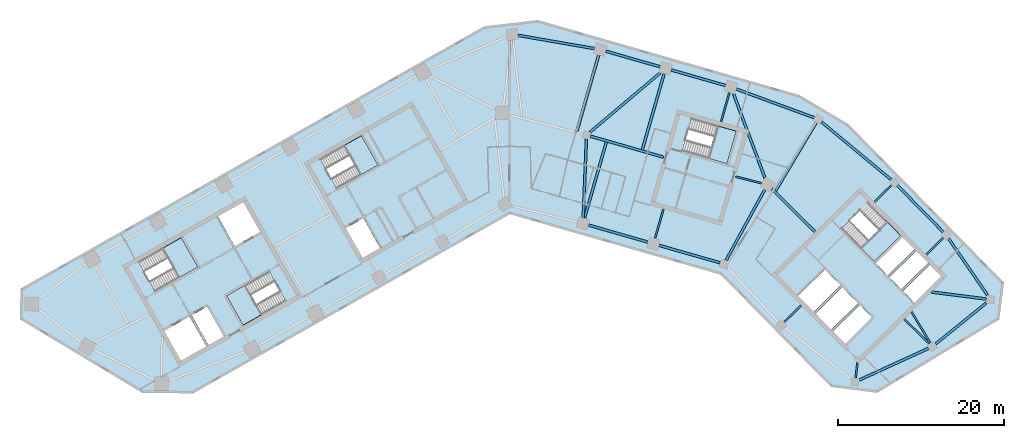
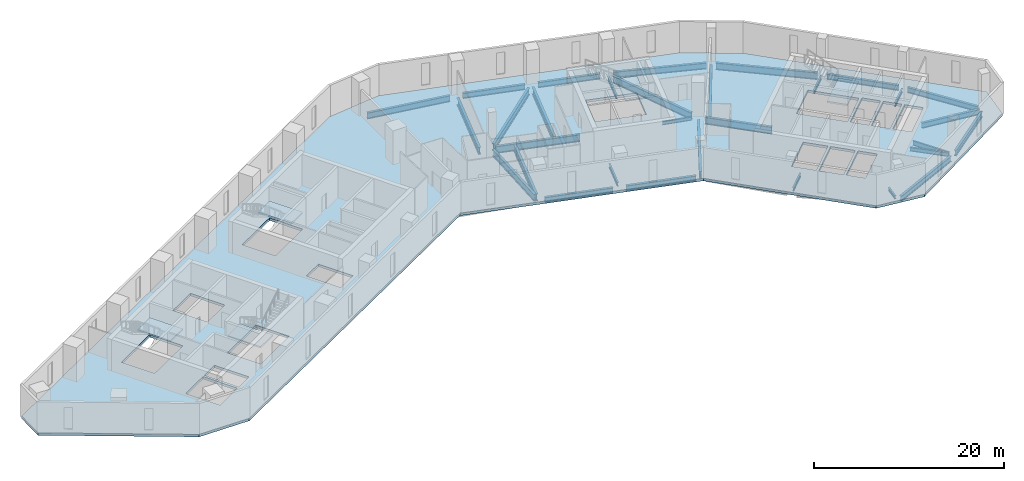
# One storey, part 2 of 10: 31 beams, 6 slabs, 5 elements without a shape of their own.
"""IFC4 building model written with IfcOpenShell, lengths in metres."""

from ifc_helpers import new_model, si_unit, direction, frame, origin, origin_2d, place, context, subcontext, project, spatial, polyline, i_section, outline, extrude, material, layer, layer_set, material_profile, profile_set, type_object, element, aggregate, save


model = new_model("IFC4")

# Units and contexts
model_context = context("Model", 3, precision=1e-05, world=origin(), true_north=direction((0.0, 1.0)))
body_context = subcontext(model_context, "Body", "Model", "MODEL_VIEW")
ifc_project = project(units=[si_unit("LENGTHUNIT", "METRE"), si_unit("AREAUNIT", "SQUARE_METRE"), si_unit("VOLUMEUNIT", "CUBIC_METRE"), si_unit("PLANEANGLEUNIT", "RADIAN"), si_unit("MASSUNIT", "GRAM", prefix="KILO")], contexts=[model_context])

# Site, building, storey
site_placement = place(None, origin())
site = spatial("IfcSite", under=ifc_project, at=site_placement, CompositionType="ELEMENT")
building_placement = place(site_placement, origin())
building = spatial("IfcBuilding", under=site, at=building_placement, Name="Binnacle Exchange Tower", CompositionType="ELEMENT")
storey_placement = place(building_placement, frame((0.0, 0.0, 110.300048828125)))
storey = spatial("IfcBuildingStorey", under=building, at=storey_placement, Name="L22", CompositionType="ELEMENT", Elevation=110.300048828125)

# Beams
ifc_material_1 = material(Name="Steel S355 (SHN355)", Category="steel")
ifc_material_profile_1 = material_profile(ifc_material_1, i_section(OverallWidth=0.300048828125, OverallDepth=0.699951171875, WebThickness=0.012939453125, FlangeThickness=0.02392578125, FilletRadius=0.028076171875, at=origin_2d()), Name="H 700x300x13x24")
ifc_profile_set_1 = profile_set([ifc_material_profile_1], Name="Steel S355 (SHN355)")
beam_type_1 = type_object("IfcBeamType", Name="Edge girder H 700x300x13x24 Steel S355 (SHN355)", PredefinedType="SPANDREL", material=ifc_profile_set_1)
beam_1_placement = place(storey_placement, frame((9.482421875, 46.529296875, -0.670166015625), z_axis=(0.961257800717, -0.275650939705, 0.0), x_axis=(0.275650939705, 0.961257800717, 0.0)))
element("IfcBeam", 1, at=beam_1_placement, inside=storey, type_object=beam_type_1, Name="S:BM:edge:L22:030", PredefinedType="SPANDREL", context=body_context, shape_type="SweptSolid", body=[
    extrude(i_section(OverallWidth=0.300048828125, OverallDepth=0.699951171875, WebThickness=0.012939453125, FlangeThickness=0.02392578125, FilletRadius=0.028076171875, at=origin_2d()), origin(), (0.0, 0.0, 1.0), 7.42041015625),
])
beam_2_placement = place(storey_placement, frame((17.961181640625, 44.09814453125, -0.670166015625), z_axis=(0.961257524102, -0.275651904325, 0.0), x_axis=(0.275651904325, 0.961257524102, 0.0)))
element("IfcBeam", 2, at=beam_2_placement, inside=storey, type_object=beam_type_1, Name="S:BM:edge:L22:032", PredefinedType="SPANDREL", context=body_context, shape_type="SweptSolid", body=[
    extrude(i_section(OverallWidth=0.300048828125, OverallDepth=0.699951171875, WebThickness=0.012939453125, FlangeThickness=0.02392578125, FilletRadius=0.028076171875, at=origin_2d()), origin(), (0.0, 0.0, 1.0), 7.620361328125),
])
for number, where, z_axis, x_axis, name in (
    (3, (18.073486328125, 65.569091796875, -0.670166015625), (-0.961258249907, 0.275649373272, 0.0), (-0.275649373272, -0.961258249907, 0.0), "S:BM:edge:L22:033"),
    (4, (25.9296875, 63.31640625, -0.670166015625), (-0.961258249907, 0.275649373272, 0.0), (-0.275649373272, -0.961258249907, 0.0), "S:BM:edge:L22:034"),
):
    element("IfcBeam", number, at=place(storey_placement, frame(where, z_axis=z_axis, x_axis=x_axis)), inside=storey, type_object=beam_type_1, Name=name, PredefinedType="SPANDREL", context=body_context, shape_type="SweptSolid", body=[
        extrude(i_section(OverallWidth=0.300048828125, OverallDepth=0.699951171875, WebThickness=0.012939453125, FlangeThickness=0.02392578125, FilletRadius=0.028076171875, at=origin_2d()), origin(), (0.0, 0.0, 1.0), 6.77294921875),
    ])
beam_3_placement = place(storey_placement, frame((51.20458984375, 32.248291015625, -0.670166015625), z_axis=(0.777570349394, 0.628795953981, 0.0), x_axis=(-0.628795953981, 0.777570349394, 0.0)))
element("IfcBeam", 5, at=beam_3_placement, inside=storey, type_object=beam_type_1, Name="S:BM:edge:L22:040", PredefinedType="SPANDREL", context=body_context, shape_type="SweptSolid", body=[
    extrude(i_section(OverallWidth=0.300048828125, OverallDepth=0.699951171875, WebThickness=0.012939453125, FlangeThickness=0.02392578125, FilletRadius=0.028076171875, at=origin_2d()), origin(), (0.0, 0.0, 1.0), 7.788330078125),
])
beam_4_placement = place(storey_placement, frame((52.1162109375, 45.69580078125, -0.670166015625), z_axis=(-0.700892629455, 0.713266795789, 0.0), x_axis=(-0.713266795789, -0.700892629455, 0.0)))
element("IfcBeam", 6, at=beam_4_placement, inside=storey, type_object=beam_type_1, Name="S:BM:edge:L22:041", PredefinedType="SPANDREL", context=body_context, shape_type="SweptSolid", body=[
    extrude(i_section(OverallWidth=0.300048828125, OverallDepth=0.699951171875, WebThickness=0.012939453125, FlangeThickness=0.02392578125, FilletRadius=0.028076171875, at=origin_2d()), origin(), (0.0, 0.0, 1.0), 7.872314453125),
])
beam_5_placement = place(storey_placement, frame((57.41943359375, 38.13330078125, -0.670166015625), z_axis=(-0.566410561214, 0.824123216604, 0.0), x_axis=(-0.824123216604, -0.566410561214, 0.0)))
element("IfcBeam", 7, at=beam_5_placement, inside=storey, type_object=beam_type_1, Name="S:BM:edge:L22:042", PredefinedType="SPANDREL", context=body_context, shape_type="SweptSolid", body=[
    extrude(i_section(OverallWidth=0.300048828125, OverallDepth=0.699951171875, WebThickness=0.012939453125, FlangeThickness=0.02392578125, FilletRadius=0.028076171875, at=origin_2d()), origin(), (0.0, 0.0, 1.0), 8.236083984375),
])
ifc_material_profile_2 = material_profile(ifc_material_1, i_section(OverallWidth=0.302001953125, OverallDepth=0.7080078125, WebThickness=0.014892578125, FlangeThickness=0.028076171875, FilletRadius=0.028076171875, at=origin_2d()), Name="H 708x302x15x28")
ifc_profile_set_2 = profile_set([ifc_material_profile_2], Name="Steel S355 (SHN355)")
beam_type_2 = type_object("IfcBeamType", Name="Edge girder H 708x302x15x28 Steel S355 (SHN355)", PredefinedType="SPANDREL", material=ifc_profile_set_2)
beam_6_placement = place(storey_placement, frame((42.054931640625, 27.919921875, -0.674072265625), z_axis=(0.909166515566, 0.41643276405, 0.0), x_axis=(-0.41643276405, 0.909166515566, 0.0)))
element("IfcBeam", 8, at=beam_6_placement, inside=storey, type_object=beam_type_2, Name="S:BM:edge:L22:038", PredefinedType="SPANDREL", context=body_context, shape_type="SweptSolid", body=[
    extrude(i_section(OverallWidth=0.302001953125, OverallDepth=0.7080078125, WebThickness=0.014892578125, FlangeThickness=0.028076171875, FilletRadius=0.028076171875, at=origin_2d()), origin(), (0.0, 0.0, 1.0), 9.128662109375),
])
ifc_material_profile_3 = material_profile(ifc_material_1, i_section(OverallWidth=0.300048828125, OverallDepth=0.800048828125, WebThickness=0.013916015625, FlangeThickness=0.02587890625, FilletRadius=0.028076171875, at=origin_2d()), Name="H 800x300x14x26")
ifc_profile_set_3 = profile_set([ifc_material_profile_3], Name="Steel S355 (SHN355)")
beam_type_3 = type_object("IfcBeamType", Name="Edge girder H 800x300x14x26 Steel S355 (SHN355)", PredefinedType="SPANDREL", material=ifc_profile_set_3)
beam_7_placement = place(storey_placement, frame((10.1962890625, 67.749267578125, -0.719970703125), z_axis=(-0.985312784176, 0.170759237931, 0.0), x_axis=(-0.170759237931, -0.985312784176, 0.0)))
element("IfcBeam", 9, at=beam_7_placement, inside=storey, type_object=beam_type_3, Name="S:BM:edge:L22:031", PredefinedType="SPANDREL", context=body_context, shape_type="SweptSolid", body=[
    extrude(i_section(OverallWidth=0.300048828125, OverallDepth=0.800048828125, WebThickness=0.013916015625, FlangeThickness=0.02587890625, FilletRadius=0.028076171875, at=origin_2d()), origin(), (0.0, 0.0, 1.0), 9.313232421875),
])
ifc_material_profile_4 = material_profile(ifc_material_1, i_section(OverallWidth=0.302001953125, OverallDepth=0.80810546875, WebThickness=0.01611328125, FlangeThickness=0.030029296875, FilletRadius=0.028076171875, at=origin_2d()), Name="H 808x302x16x30")
ifc_profile_set_4 = profile_set([ifc_material_profile_4], Name="Steel S355 (SHN355)")
beam_type_4 = type_object("IfcBeamType", Name="Edge girder H 808x302x16x30 Steel S355 (SHN355)", PredefinedType="SPANDREL", material=ifc_profile_set_4)
beam_8_placement = place(storey_placement, frame((36.60791015625, 59.438232421875, -0.72412109375), z_axis=(-0.938371988478, 0.3456269828, 0.0), x_axis=(-0.3456269828, -0.938371988478, 0.0)))
element("IfcBeam", 10, at=beam_8_placement, inside=storey, type_object=beam_type_4, Name="S:BM:edge:L22:037", PredefinedType="SPANDREL", context=body_context, shape_type="SweptSolid", body=[
    extrude(i_section(OverallWidth=0.302001953125, OverallDepth=0.80810546875, WebThickness=0.01611328125, FlangeThickness=0.030029296875, FilletRadius=0.028076171875, at=origin_2d()), origin(), (0.0, 0.0, 1.0), 9.96044921875),
])
ifc_material_profile_5 = material_profile(ifc_material_1, i_section(OverallWidth=0.300048828125, OverallDepth=0.89990234375, WebThickness=0.01611328125, FlangeThickness=0.028076171875, FilletRadius=0.028076171875, at=origin_2d()), Name="H 900x300x16x28")
ifc_profile_set_5 = profile_set([ifc_material_profile_5], Name="Steel S355 (SHN355)")
beam_type_5 = type_object("IfcBeamType", Name="Edge girder H 900x300x16x28 Steel S355 (SHN355)", PredefinedType="SPANDREL", material=ifc_profile_set_5)
beam_9_placement = place(storey_placement, frame((45.861083984375, 51.988037109375, -0.77001953125), z_axis=(-0.769903256509, 0.63816061898, 0.0), x_axis=(-0.63816061898, -0.769903256509, 0.0)))
element("IfcBeam", 11, at=beam_9_placement, inside=storey, type_object=beam_type_5, Name="S:BM:edge:L22:039", PredefinedType="SPANDREL", context=body_context, shape_type="SweptSolid", body=[
    extrude(i_section(OverallWidth=0.300048828125, OverallDepth=0.89990234375, WebThickness=0.01611328125, FlangeThickness=0.028076171875, FilletRadius=0.028076171875, at=origin_2d()), origin(), (0.0, 0.0, 1.0), 10.892822265625),
])
ifc_material_profile_6 = material_profile(ifc_material_1, i_section(OverallWidth=0.199951171875, OverallDepth=0.39990234375, WebThickness=0.008056640625, FlangeThickness=0.012939453125, FilletRadius=0.01611328125, at=origin_2d()), Name="H 400x200x8x13")
ifc_profile_set_6 = profile_set([ifc_material_profile_6], Name="Steel S355 (SHN355)")
beam_type_6 = type_object("IfcBeamType", Name="Floor beam H 400x200x8x13 Steel S355 (SHN355)", PredefinedType="BEAM", material=ifc_profile_set_6)
beam_10_placement = place(storey_placement, frame((41.582763671875, 28.1708984375, -0.52001953125), z_axis=(0.12626620762, 0.991996393549, 0.0), x_axis=(-0.991996393549, 0.12626620762, 0.0)))
element("IfcBeam", 12, at=beam_10_placement, inside=storey, type_object=beam_type_6, Name="S:BM:cross:L22:063", PredefinedType="BEAM", context=body_context, shape_type="SweptSolid", body=[
    extrude(i_section(OverallWidth=0.199951171875, OverallDepth=0.39990234375, WebThickness=0.008056640625, FlangeThickness=0.012939453125, FilletRadius=0.01611328125, at=origin_2d()), origin(), (0.0, 0.0, 1.0), 1.8310546875),
])
ifc_material_profile_7 = material_profile(ifc_material_1, i_section(OverallWidth=0.199951171875, OverallDepth=0.449951171875, WebThickness=0.009033203125, FlangeThickness=0.013916015625, FilletRadius=0.01806640625, at=origin_2d()), Name="H 450x200x9x14")
ifc_profile_set_7 = profile_set([ifc_material_profile_7], Name="Steel S355 (SHN355)")
beam_type_7 = type_object("IfcBeamType", Name="Floor beam H 450x200x9x14 Steel S355 (SHN355)", PredefinedType="BEAM", material=ifc_profile_set_7)
for number, where, z_axis, x_axis, name in (
    (13, (32.997802734375, 34.880615234375, -0.545166015625), (0.713272005304, 0.700887327928, 0.0), (-0.700887327928, 0.713272005304, 0.0), "S:BM:cross:L22:061"),
    (14, (45.8916015625, 51.31689453125, -0.545166015625), (-0.713272005304, -0.700887327928, 0.0), (0.700887327928, -0.713272005304, 0.0), "S:BM:cross:L22:064"),
    (15, (52.110107421875, 44.98876953125, -0.545166015625), (-0.713272005304, -0.700887327928, 0.0), (0.700887327928, -0.713272005304, 0.0), "S:BM:cross:L22:066"),
):
    element("IfcBeam", number, at=place(storey_placement, frame(where, z_axis=z_axis, x_axis=x_axis)), inside=storey, type_object=beam_type_7, Name=name, PredefinedType="BEAM", context=body_context, shape_type="SweptSolid", body=[
        extrude(i_section(OverallWidth=0.199951171875, OverallDepth=0.449951171875, WebThickness=0.009033203125, FlangeThickness=0.013916015625, FilletRadius=0.01806640625, at=origin_2d()), origin(), (0.0, 0.0, 1.0), 2.8583984375),
    ])
ifc_material_profile_8 = material_profile(ifc_material_1, i_section(OverallWidth=0.200927734375, OverallDepth=0.506103515625, WebThickness=0.010986328125, FlangeThickness=0.01904296875, FilletRadius=0.02001953125, at=origin_2d()), Name="H 506x201x11x19")
ifc_profile_set_8 = profile_set([ifc_material_profile_8], Name="Steel S355 (SHN355)")
beam_type_8 = type_object("IfcBeamType", Name="Floor beam H 506x201x11x19 Steel S355 (SHN355)", PredefinedType="BEAM", material=ifc_profile_set_8)
beam_11_placement = place(storey_placement, frame((17.481201171875, 44.964111328125, -0.572998046875), z_axis=(0.275643564404, 0.961259915633, 0.0), x_axis=(-0.961259915633, 0.275643564404, 0.0)))
element("IfcBeam", 16, at=beam_11_placement, inside=storey, type_object=beam_type_8, Name="S:BM:cross:L22:058", PredefinedType="BEAM", context=body_context, shape_type="SweptSolid", body=[
    extrude(i_section(OverallWidth=0.200927734375, OverallDepth=0.506103515625, WebThickness=0.010986328125, FlangeThickness=0.01904296875, FilletRadius=0.02001953125, at=origin_2d()), origin(), (0.0, 0.0, 1.0), 3.635009765625),
])
beam_12_placement = place(storey_placement, frame((26.409912109375, 62.45068359375, -0.572998046875), z_axis=(-0.275687825643, -0.961247222515, 0.0), x_axis=(0.961247222515, -0.275687825643, 0.0)))
element("IfcBeam", 17, at=beam_12_placement, inside=storey, type_object=beam_type_8, Name="S:BM:cross:L22:060", PredefinedType="BEAM", context=body_context, shape_type="SweptSolid", body=[
    extrude(i_section(OverallWidth=0.200927734375, OverallDepth=0.506103515625, WebThickness=0.010986328125, FlangeThickness=0.01904296875, FilletRadius=0.02001953125, at=origin_2d()), origin(), (0.0, 0.0, 1.0), 3.63525390625),
])
ifc_material_profile_9 = material_profile(ifc_material_1, i_section(OverallWidth=0.199951171875, OverallDepth=0.60009765625, WebThickness=0.010986328125, FlangeThickness=0.01708984375, FilletRadius=0.02197265625, at=origin_2d()), Name="H 600x200x11x17")
ifc_profile_set_9 = profile_set([ifc_material_profile_9], Name="Steel S355 (SHN355)")
beam_type_9 = type_object("IfcBeamType", Name="Floor beam H 600x200x11x17 Steel S355 (SHN355)", PredefinedType="BEAM", material=ifc_profile_set_9)
beam_13_placement = place(storey_placement, frame((50.554443359375, 32.359619140625, -0.6201171875), z_axis=(-0.515054637465, 0.857157348697, 0.0), x_axis=(-0.857157348697, -0.515054637465, 0.0)))
element("IfcBeam", 18, at=beam_13_placement, inside=storey, type_object=beam_type_9, Name="S:BM:cross:L22:065", PredefinedType="BEAM", context=body_context, shape_type="SweptSolid", body=[
    extrude(i_section(OverallWidth=0.199951171875, OverallDepth=0.60009765625, WebThickness=0.010986328125, FlangeThickness=0.01708984375, FilletRadius=0.02197265625, at=origin_2d()), origin(), (0.0, 0.0, 1.0), 4.367431640625),
])
ifc_material_profile_10 = material_profile(ifc_material_1, i_section(OverallWidth=0.300048828125, OverallDepth=0.699951171875, WebThickness=0.012939453125, FlangeThickness=0.02392578125, FilletRadius=0.028076171875, at=origin_2d()), Name="H 700x300x13x24")
ifc_profile_set_10 = profile_set([ifc_material_profile_10], Name="Steel S355 (SHN355)")
beam_type_10 = type_object("IfcBeamType", Name="Floor beam H 700x300x13x24 Steel S355 (SHN355)", PredefinedType="BEAM", material=ifc_profile_set_10)
beam_14_placement = place(storey_placement, frame((57.302978515625, 37.64404296875, -0.670166015625), z_axis=(-0.992004198178, 0.12620487628, 0.0), x_axis=(-0.12620487628, -0.992004198178, 0.0)))
element("IfcBeam", 19, at=beam_14_placement, inside=storey, type_object=beam_type_10, Name="S:BM:cross:L22:067", PredefinedType="BEAM", context=body_context, shape_type="SweptSolid", body=[
    extrude(i_section(OverallWidth=0.300048828125, OverallDepth=0.699951171875, WebThickness=0.012939453125, FlangeThickness=0.02392578125, FilletRadius=0.028076171875, at=origin_2d()), origin(), (0.0, 0.0, 1.0), 6.63134765625),
])
ifc_material_profile_11 = material_profile(ifc_material_1, i_section(OverallWidth=0.302978515625, OverallDepth=0.91796875, WebThickness=0.01904296875, FlangeThickness=0.037109375, FilletRadius=0.028076171875, at=origin_2d()), Name="H 918x303x19x37")
ifc_profile_set_11 = profile_set([ifc_material_profile_11], Name="Steel S355 (SHN355)")
beam_type_11 = type_object("IfcBeamType", Name="Floor beam H 918x303x19x37 Steel S355 (SHN355)", PredefinedType="BEAM", material=ifc_profile_set_11)
beam_15_placement = place(storey_placement, frame((9.00244140625, 47.395263671875, -0.779052734375), z_axis=(0.275642274849, 0.961260285415, 0.0), x_axis=(-0.961260285415, 0.275642274849, 0.0)))
element("IfcBeam", 20, at=beam_15_placement, inside=storey, type_object=beam_type_11, Name="S:BM:cross:L22:056", PredefinedType="BEAM", context=body_context, shape_type="SweptSolid", body=[
    extrude(i_section(OverallWidth=0.302978515625, OverallDepth=0.91796875, WebThickness=0.01904296875, FlangeThickness=0.037109375, FilletRadius=0.028076171875, at=origin_2d()), origin(), (0.0, 0.0, 1.0), 9.485107421875),
])
beam_16_placement = place(storey_placement, frame((10.697021484375, 66.9560546875, -0.779052734375), z_axis=(-0.27562260808, -0.961265924661, 0.0), x_axis=(0.961265924661, -0.27562260808, 0.0)))
element("IfcBeam", 21, at=beam_16_placement, inside=storey, type_object=beam_type_11, Name="S:BM:cross:L22:057", PredefinedType="BEAM", context=body_context, shape_type="SweptSolid", body=[
    extrude(i_section(OverallWidth=0.302978515625, OverallDepth=0.91796875, WebThickness=0.01904296875, FlangeThickness=0.037109375, FilletRadius=0.028076171875, at=origin_2d()), origin(), (0.0, 0.0, 1.0), 9.51318359375),
])
beam_17_placement = place(storey_placement, frame((18.553466796875, 64.703369140625, -0.779052734375), z_axis=(-0.275642274849, -0.961260285415, 0.0), x_axis=(0.961260285415, -0.275642274849, 0.0)))
element("IfcBeam", 22, at=beam_17_placement, inside=storey, type_object=beam_type_11, Name="S:BM:cross:L22:059", PredefinedType="BEAM", context=body_context, shape_type="SweptSolid", body=[
    extrude(i_section(OverallWidth=0.302978515625, OverallDepth=0.91796875, WebThickness=0.01904296875, FlangeThickness=0.037109375, FilletRadius=0.028076171875, at=origin_2d()), origin(), (0.0, 0.0, 1.0), 9.485107421875),
])
beam_18_placement = place(storey_placement, frame((36.829345703125, 58.832763671875, -0.779052734375), z_axis=(-0.51129570724, -0.859404852068, 0.0), x_axis=(0.859404852068, -0.51129570724, 0.0)))
element("IfcBeam", 23, at=beam_18_placement, inside=storey, type_object=beam_type_11, Name="S:BM:cross:L22:062", PredefinedType="BEAM", context=body_context, shape_type="SweptSolid", body=[
    extrude(i_section(OverallWidth=0.302978515625, OverallDepth=0.91796875, WebThickness=0.01904296875, FlangeThickness=0.037109375, FilletRadius=0.028076171875, at=origin_2d()), origin(), (0.0, 0.0, 1.0), 9.5361328125),
])
ifc_material_profile_12 = material_profile(ifc_material_1, i_section(OverallWidth=0.199951171875, OverallDepth=0.449951171875, WebThickness=0.009033203125, FlangeThickness=0.013916015625, FilletRadius=0.01806640625, at=origin_2d()), Name="H 450x200x9x14")
ifc_profile_set_12 = profile_set([ifc_material_profile_12], Name="Steel S355 (SHN355)")
beam_type_12 = type_object("IfcBeamType", Name="Spine girder H 450x200x9x14 Steel S355 (SHN355)", PredefinedType="BEAM", material=ifc_profile_set_12)
beam_19_placement = place(storey_placement, frame((27.17138671875, 52.35400390625, -0.545166015625), z_axis=(0.969348404361, -0.245690193055, 0.0), x_axis=(0.245690193055, 0.969348404361, 0.0)))
element("IfcBeam", 24, at=beam_19_placement, inside=storey, type_object=beam_type_12, Name="S:BM:spine:L22:010", PredefinedType="BEAM", context=body_context, shape_type="SweptSolid", body=[
    extrude(i_section(OverallWidth=0.199951171875, OverallDepth=0.449951171875, WebThickness=0.009033203125, FlangeThickness=0.013916015625, FilletRadius=0.01806640625, at=origin_2d()), origin(), (0.0, 0.0, 1.0), 3.20361328125),
])
ifc_material_profile_13 = material_profile(ifc_material_1, i_section(OverallWidth=0.200927734375, OverallDepth=0.506103515625, WebThickness=0.010986328125, FlangeThickness=0.01904296875, FilletRadius=0.02001953125, at=origin_2d()), Name="H 506x201x11x19")
ifc_profile_set_13 = profile_set([ifc_material_profile_13], Name="Steel S355 (SHN355)")
beam_type_13 = type_object("IfcBeamType", Name="Spine girder H 506x201x11x19 Steel S355 (SHN355)", PredefinedType="BEAM", material=ifc_profile_set_13)
beam_20_placement = place(storey_placement, frame((47.417236328125, 35.23095703125, -0.572998046875), z_axis=(0.71705117811, -0.697020521915, 0.0), x_axis=(0.697020521915, 0.71705117811, 0.0)))
element("IfcBeam", 25, at=beam_20_placement, inside=storey, type_object=beam_type_13, Name="S:BM:spine:L22:014", PredefinedType="BEAM", context=body_context, shape_type="SweptSolid", body=[
    extrude(i_section(OverallWidth=0.200927734375, OverallDepth=0.506103515625, WebThickness=0.010986328125, FlangeThickness=0.01904296875, FilletRadius=0.02001953125, at=origin_2d()), origin(), (0.0, 0.0, 1.0), 4.21728515625),
])
ifc_material_profile_14 = material_profile(ifc_material_1, i_section(OverallWidth=0.300048828125, OverallDepth=0.89990234375, WebThickness=0.01611328125, FlangeThickness=0.028076171875, FilletRadius=0.028076171875, at=origin_2d()), Name="H 900x300x16x28")
ifc_profile_set_14 = profile_set([ifc_material_profile_14], Name="Steel S355 (SHN355)")
beam_type_14 = type_object("IfcBeamType", Name="Spine girder H 900x300x16x28 Steel S355 (SHN355)", PredefinedType="BEAM", material=ifc_profile_set_14)
beam_21_placement = place(storey_placement, frame((9.22216796875, 56.887451171875, -0.77001953125), z_axis=(-0.040573469093, -0.999176557774, 0.0), x_axis=(0.999176557774, -0.040573469093, 0.0)))
element("IfcBeam", 26, at=beam_21_placement, inside=storey, type_object=beam_type_14, Name="S:BM:spine:L22:007", PredefinedType="BEAM", context=body_context, shape_type="SweptSolid", body=[
    extrude(i_section(OverallWidth=0.300048828125, OverallDepth=0.89990234375, WebThickness=0.01611328125, FlangeThickness=0.028076171875, FilletRadius=0.028076171875, at=origin_2d()), origin(), (0.0, 0.0, 1.0), 9.453125),
])
beam_22_placement = place(storey_placement, frame((30.65234375, 50.771484375, -0.77001953125), z_axis=(-0.480722811784, -0.876872612316, 0.0), x_axis=(0.876872612316, -0.480722811784, 0.0)))
element("IfcBeam", 27, at=beam_22_placement, inside=storey, type_object=beam_type_14, Name="S:BM:spine:L22:011", PredefinedType="BEAM", context=body_context, shape_type="SweptSolid", body=[
    extrude(i_section(OverallWidth=0.300048828125, OverallDepth=0.89990234375, WebThickness=0.01611328125, FlangeThickness=0.028076171875, FilletRadius=0.028076171875, at=origin_2d()), origin(), (0.0, 0.0, 1.0), 9.650390625),
])
ifc_material_profile_15 = material_profile(ifc_material_1, i_section(OverallWidth=0.302978515625, OverallDepth=0.91796875, WebThickness=0.01904296875, FlangeThickness=0.037109375, FilletRadius=0.028076171875, at=origin_2d()), Name="H 918x303x19x37")
ifc_profile_set_15 = profile_set([ifc_material_profile_15], Name="Steel S355 (SHN355)")
beam_type_15 = type_object("IfcBeamType", Name="Spine girder H 918x303x19x37 Steel S355 (SHN355)", PredefinedType="BEAM", material=ifc_profile_set_15)
beam_23_placement = place(storey_placement, frame((9.65478515625, 57.69970703125, -0.779052734375), z_axis=(0.764067648684, 0.645136131552, 0.0), x_axis=(-0.645136131552, 0.764067648684, 0.0)))
element("IfcBeam", 28, at=beam_23_placement, inside=storey, type_object=beam_type_15, Name="S:BM:spine:L22:008", PredefinedType="BEAM", context=body_context, shape_type="SweptSolid", body=[
    extrude(i_section(OverallWidth=0.302978515625, OverallDepth=0.91796875, WebThickness=0.01904296875, FlangeThickness=0.037109375, FilletRadius=0.028076171875, at=origin_2d()), origin(), (0.0, 0.0, 1.0), 11.056396484375),
])
beam_24_placement = place(storey_placement, frame((9.673583984375, 57.226318359375, -0.779052734375), z_axis=(0.961256048299, -0.275657050715, 0.0), x_axis=(0.275657050715, 0.961256048299, 0.0)))
element("IfcBeam", 29, at=beam_24_placement, inside=storey, type_object=beam_type_15, Name="S:BM:spine:L22:009", PredefinedType="BEAM", context=body_context, shape_type="SweptSolid", body=[
    extrude(i_section(OverallWidth=0.302978515625, OverallDepth=0.91796875, WebThickness=0.01904296875, FlangeThickness=0.037109375, FilletRadius=0.028076171875, at=origin_2d()), origin(), (0.0, 0.0, 1.0), 9.1630859375),
])
beam_25_placement = place(storey_placement, frame((30.6806640625, 52.212890625, -0.779052734375), z_axis=(-0.350112820386, 0.93670753867, 0.0), x_axis=(-0.93670753867, -0.350112820386, 0.0)))
element("IfcBeam", 30, at=beam_25_placement, inside=storey, type_object=beam_type_15, Name="S:BM:spine:L22:012", PredefinedType="BEAM", context=body_context, shape_type="SweptSolid", body=[
    extrude(i_section(OverallWidth=0.302978515625, OverallDepth=0.91796875, WebThickness=0.01904296875, FlangeThickness=0.037109375, FilletRadius=0.028076171875, at=origin_2d()), origin(), (0.0, 0.0, 1.0), 10.777099609375),
])
beam_26_placement = place(storey_placement, frame((31.499755859375, 50.8818359375, -0.779052734375), z_axis=(0.710998016372, -0.703194013566, 0.0), x_axis=(0.703194013566, 0.710998016372, 0.0)))
element("IfcBeam", 31, at=beam_26_placement, inside=storey, type_object=beam_type_15, Name="S:BM:spine:L22:013", PredefinedType="BEAM", context=body_context, shape_type="SweptSolid", body=[
    extrude(i_section(OverallWidth=0.302978515625, OverallDepth=0.91796875, WebThickness=0.01904296875, FlangeThickness=0.037109375, FilletRadius=0.028076171875, at=origin_2d()), origin(), (0.0, 0.0, 1.0), 7.320556640625),
])

# Slab
ifc_material_2 = material(Name="Concrete C35/45", Category="concrete")
ifc_layer_1 = layer(ifc_material_2, 0.320068359375)
ifc_layer_set_1 = layer_set([ifc_layer_1], Name="Floor slab 320 Concrete C35/45")
slab_type_1 = type_object("IfcSlabType", Name="Floor slab 320 Concrete C35/45", PredefinedType="FLOOR", material=ifc_layer_set_1)
slab_1_placement = place(storey_placement, frame((0.0, 0.0, -0.320068359375)))
element("IfcSlab", 32, at=slab_1_placement, inside=storey, type_object=slab_type_1, Name="S:SL:L22:01", PredefinedType="FLOOR", context=body_context, shape_type="SweptSolid", body=[
    extrude(outline(polyline([(59.262939453125, 39.5791015625), (58.716064453125, 35.280029296875), (44.14404296875, 26.5244140625), (38.69091796875, 27.21826171875), (25.43603515625, 40.706298828125), (0.0, 48.0), (-38.097900390625, 26.4453125), (-44.14404296875, 26.5244140625), (-58.716064453125, 35.280029296875), (-58.669921875, 38.80615234375), (-3.046142578125, 70.276611328125), (3.364501953125, 71.035400390625), (34.789794921875, 62.024169921875), (40.607421875, 58.56298828125), (59.262939453125, 39.5791015625)]), holes=[polyline([(-38.4794921875, 35.529296875), (-41.61279296875, 33.756591796875), (-39.544677734375, 30.10107421875), (-36.411376953125, 31.873779296875), (-38.4794921875, 35.529296875)]), polyline([(-34.322509765625, 33.0556640625), (-36.390625, 36.711181640625), (-38.21826171875, 35.677001953125), (-36.150146484375, 32.021484375), (-34.322509765625, 33.0556640625)]), polyline([(-34.040771484375, 38.04052734375), (-32.04638671875, 34.515625), (-26.9287109375, 37.4111328125), (-28.923095703125, 40.93603515625), (-34.040771484375, 38.04052734375)]), polyline([(-37.486572265625, 41.4912109375), (-39.480712890625, 45.01611328125), (-44.598388671875, 42.12060546875), (-42.604248046875, 38.595703125), (-37.486572265625, 41.4912109375)]), polyline([(-15.53076171875, 43.6875), (-17.598876953125, 47.343017578125), (-19.77490234375, 46.11181640625), (-17.70654296875, 42.456298828125), (-15.53076171875, 43.6875)]), polyline([(-29.914306640625, 45.775390625), (-31.982666015625, 49.430908203125), (-35.115966796875, 47.657958984375), (-33.047607421875, 44.00244140625), (-29.914306640625, 45.775390625)]), polyline([(-15.822509765625, 53.748046875), (-17.81689453125, 57.27294921875), (-22.760498046875, 54.47607421875), (-20.76611328125, 50.950927734375), (-15.822509765625, 53.748046875)]), polyline([(26.111328125, 53.9169921875), (27.227783203125, 57.810302734375), (21.864013671875, 59.348388671875), (20.74755859375, 55.455078125), (26.111328125, 53.9169921875)]), polyline([(40.268798828125, 32.201904296875), (43.549560546875, 35.426025390625), (42.07763671875, 36.923828125), (38.796875, 33.69970703125), (40.268798828125, 32.201904296875)]), polyline([(38.58642578125, 33.913818359375), (41.867431640625, 37.137939453125), (39.97509765625, 39.063720703125), (36.694091796875, 35.83935546875), (38.58642578125, 33.913818359375)]), polyline([(36.48388671875, 36.053466796875), (39.7646484375, 39.277587890625), (37.872314453125, 41.203369140625), (34.59130859375, 37.979248046875), (36.48388671875, 36.053466796875)]), polyline([(48.726806640625, 37.148681640625), (52.0078125, 40.372802734375), (50.577880859375, 41.827880859375), (47.296875, 38.603759765625), (48.726806640625, 37.148681640625)]), polyline([(47.086669921875, 38.817626953125), (50.36767578125, 42.0419921875), (48.944580078125, 43.48974609375), (45.663818359375, 40.265625), (47.086669921875, 38.817626953125)]), polyline([(45.45361328125, 40.4794921875), (48.734375, 43.703857421875), (47.3115234375, 45.151611328125), (44.030517578125, 41.927490234375), (45.45361328125, 40.4794921875)]), polyline([(43.8203125, 42.141357421875), (46.994384765625, 45.260498046875), (43.083251953125, 49.240478515625), (39.9091796875, 46.121337890625), (43.8203125, 42.141357421875)])]), origin(), (0.0, 0.0, 1.0), 0.320068359375),
])

# Stair, slab
stair_type = type_object("IfcStairType", Name="STAIR 26 RISERS 169", PredefinedType="HALF_TURN_STAIR", material=ifc_material_2)
stair_1_placement = place(storey_placement, origin())
stair_1 = element("IfcStair", 33, at=stair_1_placement, inside=storey, type_object=stair_type, Name="L22 Escape stair A1", PredefinedType="HALF_TURN_STAIR")
ifc_layer_2 = layer(ifc_material_2, 0.199951171875)
ifc_layer_set_2 = layer_set([ifc_layer_2], Name="STAIR LANDING 200")
slab_type_2 = type_object("IfcSlabType", Name="STAIR LANDING 200", PredefinedType="LANDING", material=ifc_layer_set_2)
slab_2_placement = place(storey_placement, frame((0.0, 0.0, 2.0)))
slab_2 = element("IfcSlab", 34, at=slab_2_placement, type_object=slab_type_2, Name="STA1 landing 1", PredefinedType="LANDING", context=body_context, shape_type="SweptSolid", body=[
    extrude(outline(polyline([(-39.714599609375, 40.23046875), (-37.486572265625, 41.4912109375), (-39.48095703125, 45.01611328125), (-41.708984375, 43.755615234375), (-39.714599609375, 40.23046875)])), origin(), (0.0, 0.0, 1.0), 0.199951171875),
])
aggregate(stair_1, [slab_2])

stair_2_placement = place(storey_placement, origin())
stair_2 = element("IfcStair", 35, at=stair_2_placement, inside=storey, type_object=stair_type, Name="L22 Escape stair A2", PredefinedType="HALF_TURN_STAIR")
slab_3_placement = place(storey_placement, frame((0.0, 0.0, 2.0)))
slab_3 = element("IfcSlab", 36, at=slab_3_placement, type_object=slab_type_2, Name="STA2 landing 1", PredefinedType="LANDING", context=body_context, shape_type="SweptSolid", body=[
    extrude(outline(polyline([(-31.8125, 39.30126953125), (-34.040771484375, 38.04052734375), (-32.04638671875, 34.515625), (-29.818359375, 35.7763671875), (-31.8125, 39.30126953125)])), origin(), (0.0, 0.0, 1.0), 0.199951171875),
])
aggregate(stair_2, [slab_3])

stair_3_placement = place(storey_placement, origin())
stair_3 = element("IfcStair", 37, at=stair_3_placement, inside=storey, type_object=stair_type, Name="L22 Escape stair B1", PredefinedType="HALF_TURN_STAIR")
slab_4_placement = place(storey_placement, frame((0.0, 0.0, 2.0)))
slab_4 = element("IfcSlab", 38, at=slab_4_placement, type_object=slab_type_2, Name="STB1 landing 1", PredefinedType="LANDING", context=body_context, shape_type="SweptSolid", body=[
    extrude(outline(polyline([(42.236328125, 43.75341796875), (43.8203125, 42.141357421875), (46.994384765625, 45.260498046875), (45.410400390625, 46.872314453125), (42.236328125, 43.75341796875)])), origin(), (0.0, 0.0, 1.0), 0.199951171875),
])
aggregate(stair_3, [slab_4])

stair_4_placement = place(storey_placement, origin())
stair_4 = element("IfcStair", 39, at=stair_4_placement, inside=storey, type_object=stair_type, Name="L22 Escape stair C1", PredefinedType="HALF_TURN_STAIR")
slab_5_placement = place(storey_placement, frame((0.0, 0.0, 2.0)))
slab_5 = element("IfcSlab", 40, at=slab_5_placement, type_object=slab_type_2, Name="STC1 landing 1", PredefinedType="LANDING", context=body_context, shape_type="SweptSolid", body=[
    extrude(outline(polyline([(-17.876708984375, 52.5859375), (-15.822509765625, 53.748046875), (-17.81689453125, 57.27294921875), (-19.870849609375, 56.11083984375), (-17.876708984375, 52.5859375)])), origin(), (0.0, 0.0, 1.0), 0.199951171875),
])
aggregate(stair_4, [slab_5])

stair_5_placement = place(storey_placement, origin())
stair_5 = element("IfcStair", 41, at=stair_5_placement, inside=storey, type_object=stair_type, Name="L22 Escape stair D1", PredefinedType="HALF_TURN_STAIR")
slab_6_placement = place(storey_placement, frame((0.0, 0.0, 2.0)))
slab_6 = element("IfcSlab", 42, at=slab_6_placement, type_object=slab_type_2, Name="STD1 landing 1", PredefinedType="LANDING", context=body_context, shape_type="SweptSolid", body=[
    extrude(outline(polyline([(23.93896484375, 54.5400390625), (26.111328125, 53.917236328125), (27.227783203125, 57.810302734375), (25.05517578125, 58.43310546875), (23.93896484375, 54.5400390625)])), origin(), (0.0, 0.0, 1.0), 0.199951171875),
])
aggregate(stair_5, [slab_6])

save(model, "model.ifc")
